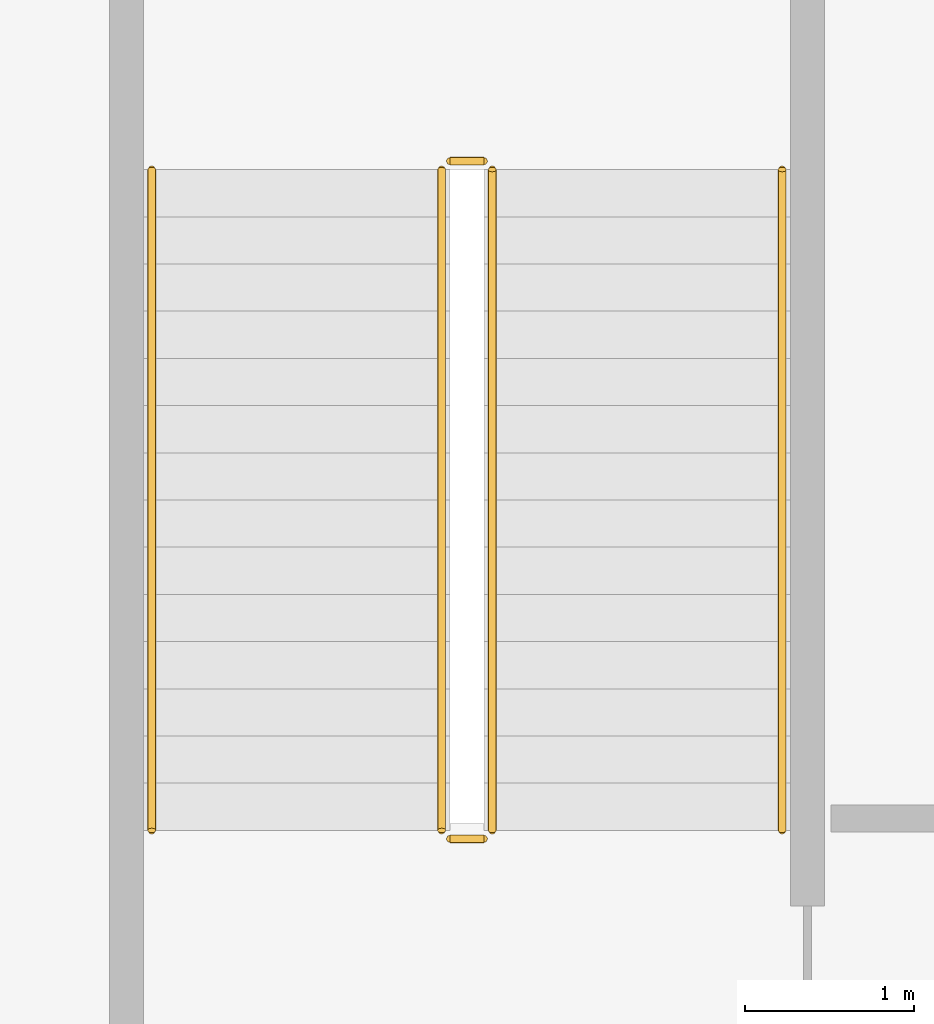
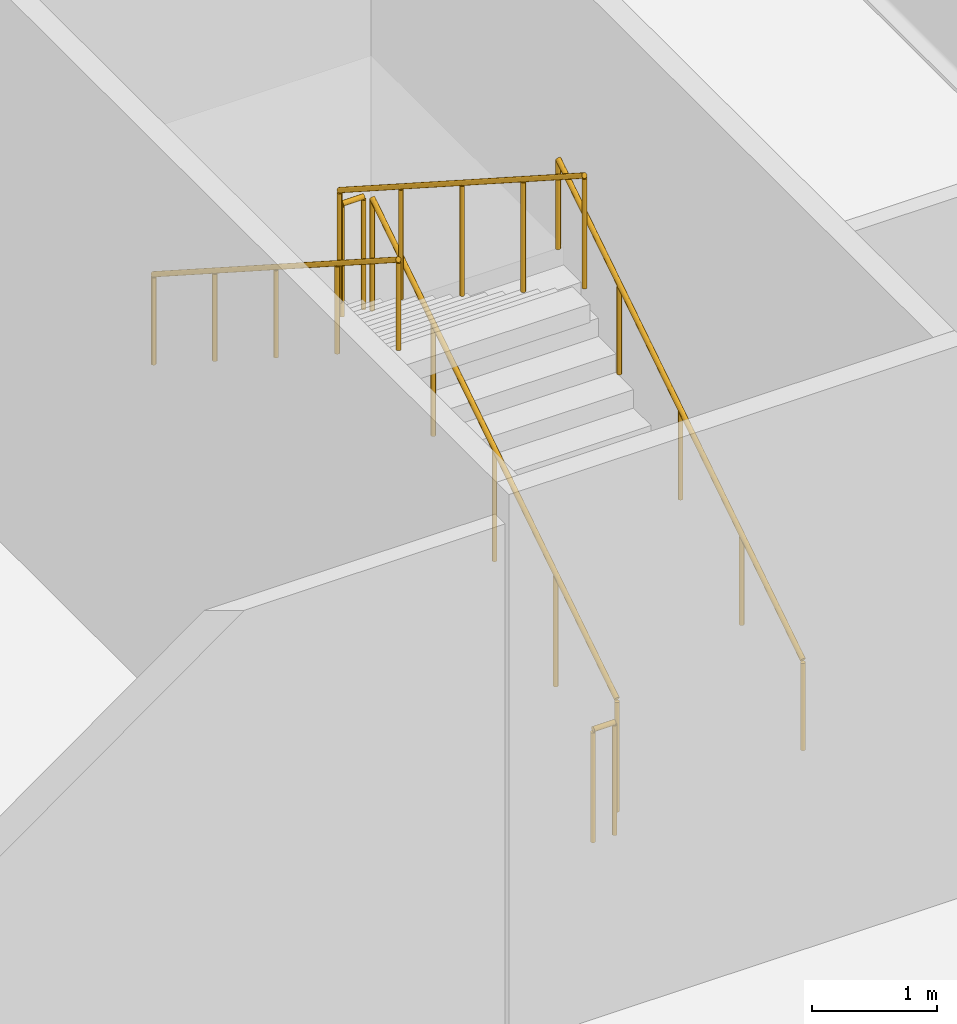
# One storey, part 23 of 24: 6 railings.
"""IFC4 building model written with IfcOpenShell, lengths in metres."""

from ifc_helpers import new_model, si_unit, direction, frame, origin, origin_2d, place, context, subcontext, project, spatial, circle, extrude, material, type_object, element, save


model = new_model("IFC4")

# Units and contexts
model_context = context("Model", 3, precision=1e-05, world=origin(), true_north=direction((0.0, 1.0)))
body_context = subcontext(model_context, "Body", "Model", "MODEL_VIEW")
ifc_project = project(units=[si_unit("LENGTHUNIT", "METRE"), si_unit("AREAUNIT", "SQUARE_METRE"), si_unit("VOLUMEUNIT", "CUBIC_METRE"), si_unit("PLANEANGLEUNIT", "RADIAN"), si_unit("MASSUNIT", "GRAM", prefix="KILO")], contexts=[model_context])

# Site, building, storey
site_placement = place(None, origin())
site = spatial("IfcSite", under=ifc_project, at=site_placement, CompositionType="ELEMENT")
building_placement = place(site_placement, origin())
building = spatial("IfcBuilding", under=site, at=building_placement, Name="Nefas-Gora Pilgrimage Tower", CompositionType="ELEMENT")
storey_placement = place(building_placement, frame((0.0, 0.0, 16.800048828125)))
storey = spatial("IfcBuildingStorey", under=building, at=storey_placement, Name="L03", CompositionType="ELEMENT", Elevation=16.800048828125)

# Railings
ifc_material_1 = material(Name="Painted galvanised steel", Category="steel")
railing_type_1 = type_object("IfcRailingType", Name="RLG-STR-GUARD-1100", PredefinedType="GUARDRAIL", material=ifc_material_1)
railing_1_placement = place(storey_placement, frame((-29.469970703125, 11.800048828125, 0.179931640625)))
element("IfcRailing", 1, at=railing_1_placement, inside=storey, type_object=railing_type_1, Name="L03 ST-04 stair guard 1", PredefinedType="GUARDRAIL", context=body_context, shape_type="SweptSolid", body=[
    extrude(circle(Radius=0.02392578125, at=origin_2d()), frame((0.0, 0.0, 1.09619140625), z_axis=(0.0, 0.841171666519, 0.540768182723), x_axis=(-1.0, 0.0, 0.0)), (0.0, 0.0, 1.0), 4.66015625),
    extrude(circle(Radius=0.02099609375, at=origin_2d()), origin(), (0.0, 0.0, 1.0), 1.072021484375),
    extrude(circle(Radius=0.02099609375, at=origin_2d()), frame((0.0, 0.97998046875, 0.6298828125)), (0.0, 0.0, 1.0), 1.072021484375),
    extrude(circle(Radius=0.02099609375, at=origin_2d()), frame((0.0, 1.9599609375, 1.260009765625)), (0.0, 0.0, 1.0), 1.072021484375),
    extrude(circle(Radius=0.02099609375, at=origin_2d()), frame((0.0, 2.93994140625, 1.89013671875)), (0.0, 0.0, 1.0), 1.072021484375),
    extrude(circle(Radius=0.02099609375, at=origin_2d()), frame((0.0, 3.919921875, 2.52001953125)), (0.0, 0.0, 1.0), 1.072021484375),
])
railing_2_placement = place(storey_placement, frame((-29.52001953125, 15.77001953125, 2.699951171875)))
element("IfcRailing", 2, at=railing_2_placement, inside=storey, type_object=railing_type_1, Name="L03 ST-04 stair guard 2", PredefinedType="GUARDRAIL", context=body_context, shape_type="SweptSolid", body=[
    extrude(circle(Radius=0.02392578125, at=origin_2d()), frame((0.0, 0.0, 1.09619140625), z_axis=(-1.0, 0.0, 0.0), x_axis=(0.0, -1.0, 0.0)), (0.0, 0.0, 1.0), 0.199951171875),
    extrude(circle(Radius=0.02099609375, at=origin_2d()), origin(), (0.0, 0.0, 1.0), 1.072021484375),
    extrude(circle(Radius=0.02099609375, at=origin_2d()), frame((-0.199951171875, 0.0, 0.0)), (0.0, 0.0, 1.0), 1.072021484375),
])
railing_3_placement = place(storey_placement, frame((-29.77001953125, 15.719970703125, 2.8798828125)))
element("IfcRailing", 3, at=railing_3_placement, inside=storey, type_object=railing_type_1, Name="L03 ST-04 stair guard 3", PredefinedType="GUARDRAIL", context=body_context, shape_type="SweptSolid", body=[
    extrude(circle(Radius=0.02392578125, at=origin_2d()), frame((0.0, 0.0, 1.09619140625), z_axis=(0.0, -0.841171666519, 0.540768182723), x_axis=(1.0, 0.0, 0.0)), (0.0, 0.0, 1.0), 4.66015625),
    extrude(circle(Radius=0.02099609375, at=origin_2d()), origin(), (0.0, 0.0, 1.0), 1.072021484375),
    extrude(circle(Radius=0.02099609375, at=origin_2d()), frame((0.0, -0.97998046875, 0.6298828125)), (0.0, 0.0, 1.0), 1.072021484375),
    extrude(circle(Radius=0.02099609375, at=origin_2d()), frame((0.0, -1.9599609375, 1.260009765625)), (0.0, 0.0, 1.0), 1.072021484375),
    extrude(circle(Radius=0.02099609375, at=origin_2d()), frame((0.0, -2.93994140625, 1.89013671875)), (0.0, 0.0, 1.0), 1.072021484375),
    extrude(circle(Radius=0.02099609375, at=origin_2d()), frame((0.0, -3.919921875, 2.52001953125)), (0.0, 0.0, 1.0), 1.072021484375),
])
railing_4_placement = place(storey_placement, frame((-29.52001953125, 11.75, 0.0)))
element("IfcRailing", 4, at=railing_4_placement, inside=storey, type_object=railing_type_1, Name="L03 ST-04 stair guard 4", PredefinedType="GUARDRAIL", context=body_context, shape_type="SweptSolid", body=[
    extrude(circle(Radius=0.02392578125, at=origin_2d()), frame((0.0, 0.0, 1.09619140625), z_axis=(-1.0, 0.0, 0.0), x_axis=(0.0, -1.0, 0.0)), (0.0, 0.0, 1.0), 0.199951171875),
    extrude(circle(Radius=0.02099609375, at=origin_2d()), origin(), (0.0, 0.0, 1.0), 1.072021484375),
    extrude(circle(Radius=0.02099609375, at=origin_2d()), frame((-0.199951171875, 0.0, 0.0)), (0.0, 0.0, 1.0), 1.072021484375),
])
ifc_material_2 = material(Name="Brushed stainless steel", Category="steel")
railing_type_2 = type_object("IfcRailingType", Name="RLG-STR-HAND-900", PredefinedType="HANDRAIL", material=ifc_material_2)
railing_5_placement = place(storey_placement, frame((-27.75, 11.800048828125, 0.179931640625)))
element("IfcRailing", 5, at=railing_5_placement, inside=storey, type_object=railing_type_2, Name="L03 ST-04 stair handrail 1", PredefinedType="HANDRAIL", context=body_context, shape_type="SweptSolid", body=[
    extrude(circle(Radius=0.02392578125, at=origin_2d()), frame((0.0, 0.0, 0.8759765625), z_axis=(0.0, 0.841171666519, 0.540768182723), x_axis=(-1.0, 0.0, 0.0)), (0.0, 0.0, 1.0), 4.66015625),
    extrude(circle(Radius=0.02099609375, at=origin_2d()), origin(), (0.0, 0.0, 1.0), 0.851806640625),
    extrude(circle(Radius=0.02099609375, at=origin_2d()), frame((0.0, 0.97998046875, 0.6298828125)), (0.0, 0.0, 1.0), 0.851806640625),
    extrude(circle(Radius=0.02099609375, at=origin_2d()), frame((0.0, 1.9599609375, 1.260009765625)), (0.0, 0.0, 1.0), 0.851806640625),
    extrude(circle(Radius=0.02099609375, at=origin_2d()), frame((0.0, 2.93994140625, 1.89013671875)), (0.0, 0.0, 1.0), 0.851806640625),
    extrude(circle(Radius=0.02099609375, at=origin_2d()), frame((0.0, 3.919921875, 2.52001953125)), (0.0, 0.0, 1.0), 0.851806640625),
])
railing_6_placement = place(storey_placement, frame((-31.489990234375, 15.719970703125, 2.8798828125)))
element("IfcRailing", 6, at=railing_6_placement, inside=storey, type_object=railing_type_2, Name="L03 ST-04 stair handrail 2", PredefinedType="HANDRAIL", context=body_context, shape_type="SweptSolid", body=[
    extrude(circle(Radius=0.02392578125, at=origin_2d()), frame((0.0, 0.0, 0.8759765625), z_axis=(0.0, -0.841171666519, 0.540768182723), x_axis=(1.0, 0.0, 0.0)), (0.0, 0.0, 1.0), 4.66015625),
    extrude(circle(Radius=0.02099609375, at=origin_2d()), origin(), (0.0, 0.0, 1.0), 0.851806640625),
    extrude(circle(Radius=0.02099609375, at=origin_2d()), frame((0.0, -0.97998046875, 0.6298828125)), (0.0, 0.0, 1.0), 0.851806640625),
    extrude(circle(Radius=0.02099609375, at=origin_2d()), frame((0.0, -1.9599609375, 1.260009765625)), (0.0, 0.0, 1.0), 0.851806640625),
    extrude(circle(Radius=0.02099609375, at=origin_2d()), frame((0.0, -2.93994140625, 1.89013671875)), (0.0, 0.0, 1.0), 0.851806640625),
    extrude(circle(Radius=0.02099609375, at=origin_2d()), frame((0.0, -3.919921875, 2.52001953125)), (0.0, 0.0, 1.0), 0.851806640625),
])

save(model, "model.ifc")
